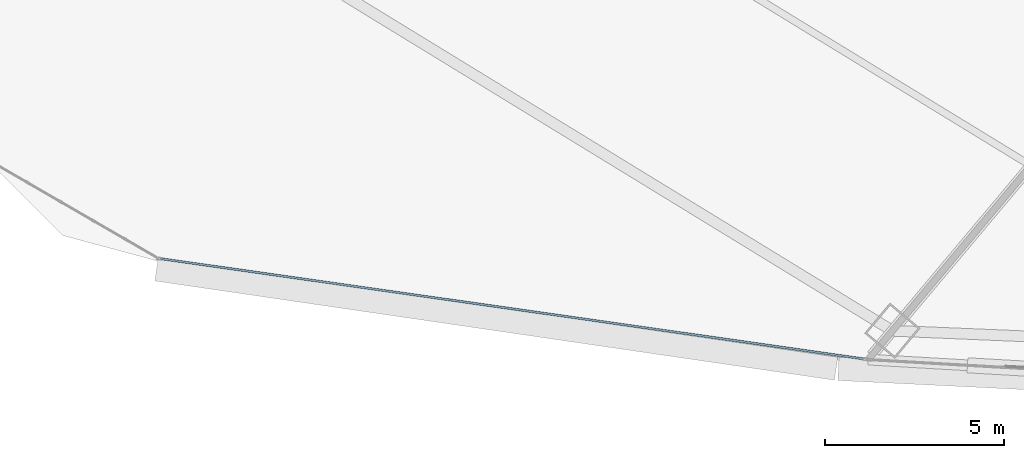
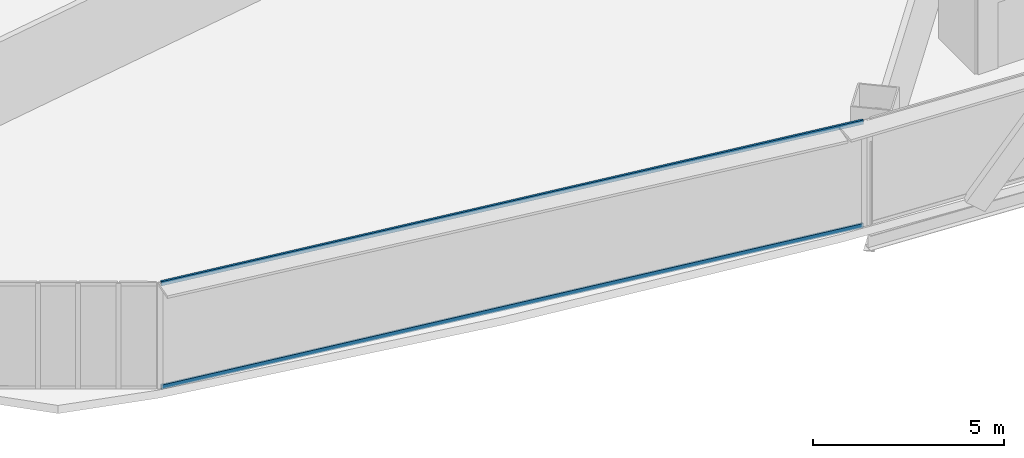
# One storey, part 3 of 40: 2 members, 1 element without a shape of its own.
"""IFC4 building model written with IfcOpenShell, lengths in metres."""

from ifc_helpers import new_model, si_unit, direction, frame, origin, origin_2d, place, context, subcontext, project, spatial, hollow_rectangle, extrude, source, transform, mapped, material, layer, layer_set, material_profile, profile_set, type_object, element, aggregate, save


model = new_model("IFC4")

# Units and contexts
model_context = context("Model", 3, precision=1e-05, world=origin(), true_north=direction((0.0, 1.0)))
body_context = subcontext(model_context, "Body", "Model", "MODEL_VIEW")
ifc_project = project(units=[si_unit("LENGTHUNIT", "METRE"), si_unit("AREAUNIT", "SQUARE_METRE"), si_unit("VOLUMEUNIT", "CUBIC_METRE"), si_unit("PLANEANGLEUNIT", "RADIAN"), si_unit("MASSUNIT", "GRAM", prefix="KILO"), si_unit("THERMODYNAMICTEMPERATUREUNIT", "KELVIN"), si_unit("POWERUNIT", "WATT")], contexts=[model_context])

# Site, building, storey
site_placement = place(None, origin())
site = spatial("IfcSite", under=ifc_project, at=site_placement, CompositionType="ELEMENT")
building_placement = place(site_placement, origin())
building = spatial("IfcBuilding", under=site, at=building_placement, Name="Yunzhuo Pagoda Commons", CompositionType="ELEMENT")
storey_placement = place(building_placement, frame((0.0, 0.0, 66.699951171875)))
storey = spatial("IfcBuildingStorey", under=building, at=storey_placement, Name="L17", CompositionType="ELEMENT", Elevation=66.699951171875)

# Curtain wall, members
ifc_material = material(Name="Anodized aluminium 6063-T6", Category="aluminium")
ifc_layer = layer(ifc_material, 0.1650390625)
ifc_layer_set = layer_set([ifc_layer], Name="Anodized aluminium 6063-T6")
curtain_wall_type = type_object("IfcCurtainWallType", Name="CW-LOW Low-Zone Ribbon Curtain Wall", PredefinedType="NOTDEFINED", material=ifc_layer_set)
curtain_wall_placement = place(storey_placement, origin())
curtain_wall = element("IfcCurtainWall", 1, at=curtain_wall_placement, inside=storey, type_object=curtain_wall_type, Name="L17 curtain wall CW-L17-F1B1", PredefinedType="NOTDEFINED")
ifc_material_profile = material_profile(ifc_material, hollow_rectangle(XDim=0.06005859375, YDim=0.139892578125, WallThickness=0.00341796875, at=origin_2d()), Name="Anodized aluminium 6063-T6")
ifc_profile_set = profile_set([ifc_material_profile], Name="Anodized aluminium 6063-T6")
member_type = type_object("IfcMemberType", Name="CW-LOW-T Transom RHS 140x60x3.5", PredefinedType="USERDEFINED", material=ifc_profile_set)
shared_shape = source(origin(), body_context, "Body", "SweptSolid", [
    extrude(hollow_rectangle(XDim=0.06005859375, YDim=0.139892578125, WallThickness=0.00341796875, at=origin_2d()), origin(), (0.0, 0.0, 1.0), 19.814697265625),
])
member_1_placement = place(storey_placement, frame((10.070068359375, 14.8564453125, 0.0302734375), z_axis=(0.989991588028, -0.141126381775, 0.0), x_axis=(0.141126381775, 0.989991588028, 0.0)))
member_1 = element("IfcMember", 2, at=member_1_placement, type_object=member_type, Name="CW transom 1.1", ObjectType="TRANSOM", PredefinedType="USERDEFINED", context=body_context, shape_type="MappedRepresentation", body=[
    mapped(shared_shape, transform((0.0, 0.0, 0.0), scale=1.0)),
])
member_2_placement = place(storey_placement, frame((10.070068359375, 14.8564453125, 3.340087890625), z_axis=(0.989991588028, -0.141126381775, 0.0), x_axis=(0.141126381775, 0.989991588028, 0.0)))
member_2 = element("IfcMember", 3, at=member_2_placement, type_object=member_type, Name="CW transom 1.2", ObjectType="TRANSOM", PredefinedType="USERDEFINED", context=body_context, shape_type="MappedRepresentation", body=[
    mapped(shared_shape, transform((0.0, 0.0, 0.0), scale=1.0)),
])
aggregate(curtain_wall, [member_1, member_2])

save(model, "model.ifc")
